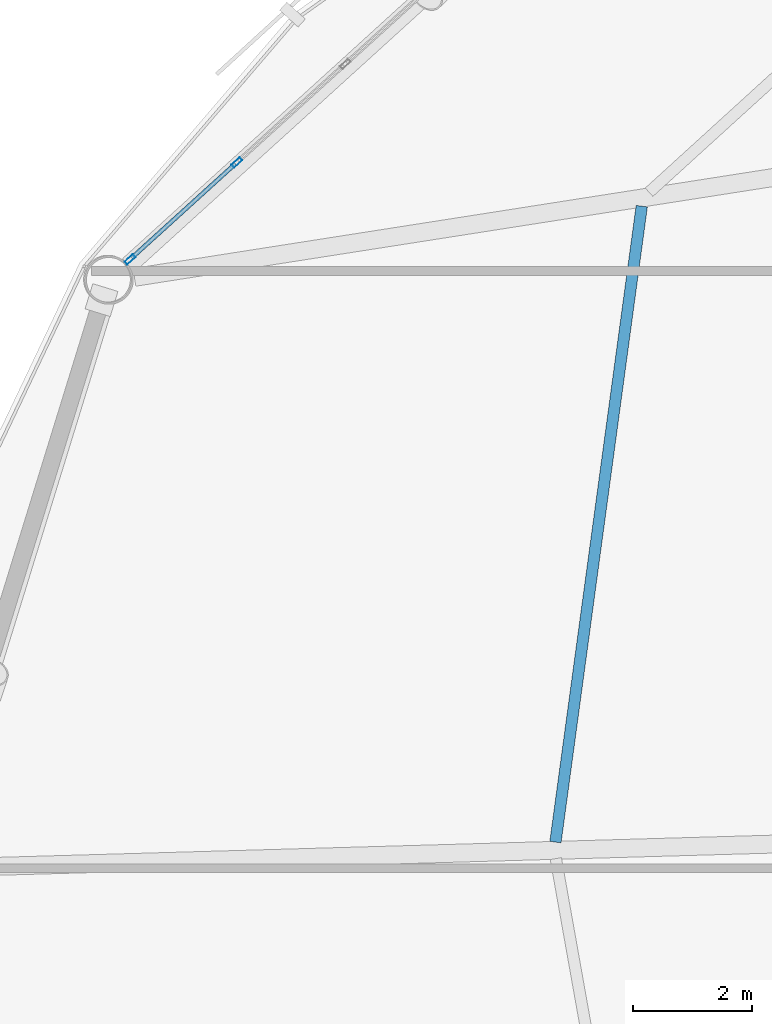
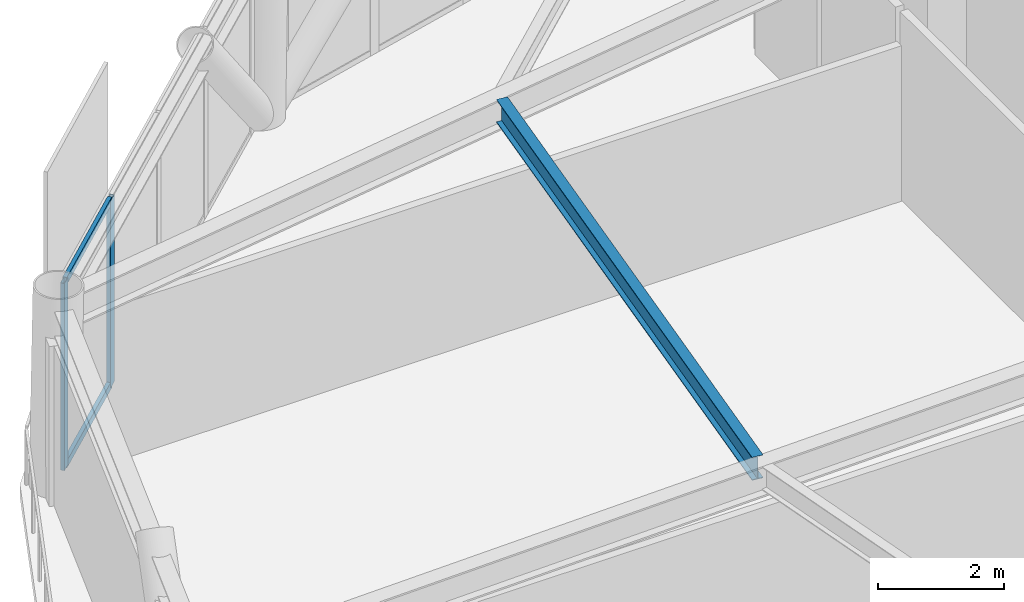
# One storey, part 10 of 26: 4 members, 1 beam, 1 element without a shape of its own.
"""IFC4 building model written with IfcOpenShell, lengths in metres."""

from ifc_helpers import new_model, si_unit, direction, frame, origin, origin_2d, place, context, subcontext, project, spatial, hollow_rectangle, i_section, extrude, material, layer, layer_set, material_profile, profile_set, type_object, element, aggregate, save


model = new_model("IFC4")

# Units and contexts
model_context = context("Model", 3, precision=1e-05, world=origin(), true_north=direction((0.0, 1.0)))
body_context = subcontext(model_context, "Body", "Model", "MODEL_VIEW")
ifc_project = project(units=[si_unit("LENGTHUNIT", "METRE"), si_unit("AREAUNIT", "SQUARE_METRE"), si_unit("VOLUMEUNIT", "CUBIC_METRE"), si_unit("PLANEANGLEUNIT", "RADIAN"), si_unit("MASSUNIT", "GRAM", prefix="KILO")], contexts=[model_context])

# Site, building, storey
site_placement = place(None, origin())
site = spatial("IfcSite", under=ifc_project, at=site_placement, CompositionType="ELEMENT")
building_placement = place(site_placement, origin())
building = spatial("IfcBuilding", under=site, at=building_placement, Name="Varnakorn Sky Granary", CompositionType="ELEMENT")
storey_placement = place(building_placement, frame((0.0, 0.0, 87.60009765625)))
storey = spatial("IfcBuildingStorey", under=building, at=storey_placement, Name="L21", CompositionType="ELEMENT", Elevation=87.60009765625)

# Beam
ifc_material_1 = material(Name="Steel S355JR", Category="steel")
ifc_material_profile_1 = material_profile(ifc_material_1, i_section(OverallWidth=0.18994140625, OverallDepth=0.449951171875, WebThickness=0.009521484375, FlangeThickness=0.0146484375, at=origin_2d()), Name="IPE 450")
ifc_profile_set_1 = profile_set([ifc_material_profile_1], Name="Steel S355JR")
beam_type = type_object("IfcBeamType", Name="BM-SEC-Z2", PredefinedType="BEAM", material=ifc_profile_set_1)
beam_placement = place(storey_placement, frame((-11.36669921875, 11.085693359375, 3.414794921875), z_axis=(-0.134508881439, -0.990912388062, 0.0), x_axis=(0.990912388062, -0.134508881439, 0.0)))
element("IfcBeam", 1, at=beam_placement, inside=storey, type_object=beam_type, Name="Secondary Floor Chord Beam MSB06 L21", PredefinedType="BEAM", context=body_context, shape_type="SweptSolid", body=[
    extrude(i_section(OverallWidth=0.18994140625, OverallDepth=0.449951171875, WebThickness=0.009521484375, FlangeThickness=0.0146484375, at=origin_2d()), origin(), (0.0, 0.0, 1.0), 10.7451171875),
])

# Curtain wall, members
ifc_material_2 = material(Name="Anodised Bronze Aluminium Alloy 6063-T6", Category="aluminium")
ifc_layer = layer(ifc_material_2, 0.18994140625, Name="Anodised Bronze Aluminium Alloy 6063-T6")
ifc_layer_set = layer_set([ifc_layer], Name="Anodised Bronze Aluminium Alloy 6063-T6")
curtain_wall_type = type_object("IfcCurtainWallType", Name="CW-FRM-1", PredefinedType="USERDEFINED", material=ifc_layer_set)
curtain_wall_placement = place(storey_placement, origin())
curtain_wall = element("IfcCurtainWall", 2, at=curtain_wall_placement, inside=storey, type_object=curtain_wall_type, Name="Unitised Curtain Wall CW3 CW-L21-B05", ObjectType="CURTAIN WALL", PredefinedType="USERDEFINED")
ifc_material_profile_2 = material_profile(ifc_material_2, hollow_rectangle(XDim=0.070068359375, YDim=0.18505859375, WallThickness=0.00390625, at=origin_2d()), Name="ALU MULL 70x185")
ifc_profile_set_2 = profile_set([ifc_material_profile_2], Name="Anodised Bronze Aluminium Alloy 6063-T6")
member_type_1 = type_object("IfcMemberType", Name="CW-FRM-1-MULL", PredefinedType="MULLION", material=ifc_profile_set_2)
member_1_placement = place(storey_placement, frame((-19.934326171875, 10.194580078125, 0.0), z_axis=(0.0, 0.0, 1.0), x_axis=(-0.672190262797, 0.74037845093, 0.0)))
member_1 = element("IfcMember", 3, at=member_1_placement, type_object=member_type_1, Name="CW3 mullion 1", PredefinedType="MULLION", context=body_context, shape_type="SweptSolid", body=[
    extrude(hollow_rectangle(XDim=0.070068359375, YDim=0.18505859375, WallThickness=0.00390625, at=origin_2d()), origin(), (0.0, 0.0, 1.0), 3.639892578125),
])
member_2_placement = place(storey_placement, frame((-18.14599609375, 11.818359375, 0.0), z_axis=(0.0, 0.0, 1.0), x_axis=(-0.672190262797, 0.74037845093, 0.0)))
member_2 = element("IfcMember", 4, at=member_2_placement, type_object=member_type_1, Name="CW3 mullion 2", PredefinedType="MULLION", context=body_context, shape_type="SweptSolid", body=[
    extrude(hollow_rectangle(XDim=0.070068359375, YDim=0.18505859375, WallThickness=0.00390625, at=origin_2d()), origin(), (0.0, 0.0, 1.0), 3.639892578125),
])
ifc_material_profile_3 = material_profile(ifc_material_2, hollow_rectangle(XDim=0.070068359375, YDim=0.139892578125, WallThickness=0.00341796875, at=origin_2d()), Name="ALU TRAN 70x140")
ifc_profile_set_3 = profile_set([ifc_material_profile_3], Name="Anodised Bronze Aluminium Alloy 6063-T6")
member_type_2 = type_object("IfcMemberType", Name="CW-FRM-1-TRAN", PredefinedType="USERDEFINED", material=ifc_profile_set_3)
member_3_placement = place(storey_placement, frame((-19.908447265625, 10.21826171875, 0.034912109375), z_axis=(0.740373224632, 0.672196019215, 0.0), x_axis=(-0.672196019215, 0.740373224632, 0.0)))
member_3 = element("IfcMember", 5, at=member_3_placement, type_object=member_type_2, Name="CW3 transom 1.1", ObjectType="TRANSOM", PredefinedType="USERDEFINED", context=body_context, shape_type="SweptSolid", body=[
    extrude(hollow_rectangle(XDim=0.070068359375, YDim=0.139892578125, WallThickness=0.00341796875, at=origin_2d()), origin(), (0.0, 0.0, 1.0), 2.345458984375),
])
member_4_placement = place(storey_placement, frame((-19.908447265625, 10.21826171875, 3.60498046875), z_axis=(0.740373224632, 0.672196019215, 0.0), x_axis=(-0.672196019215, 0.740373224632, 0.0)))
member_4 = element("IfcMember", 6, at=member_4_placement, type_object=member_type_2, Name="CW3 transom 1.2", ObjectType="TRANSOM", PredefinedType="USERDEFINED", context=body_context, shape_type="SweptSolid", body=[
    extrude(hollow_rectangle(XDim=0.070068359375, YDim=0.139892578125, WallThickness=0.00341796875, at=origin_2d()), origin(), (0.0, 0.0, 1.0), 2.345458984375),
])
aggregate(curtain_wall, [member_1, member_2, member_3, member_4])

save(model, "model.ifc")
